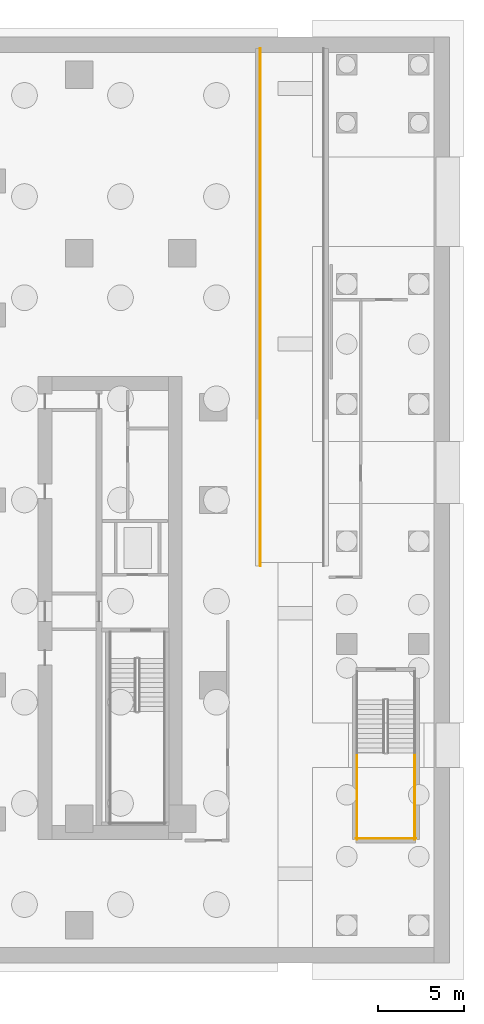
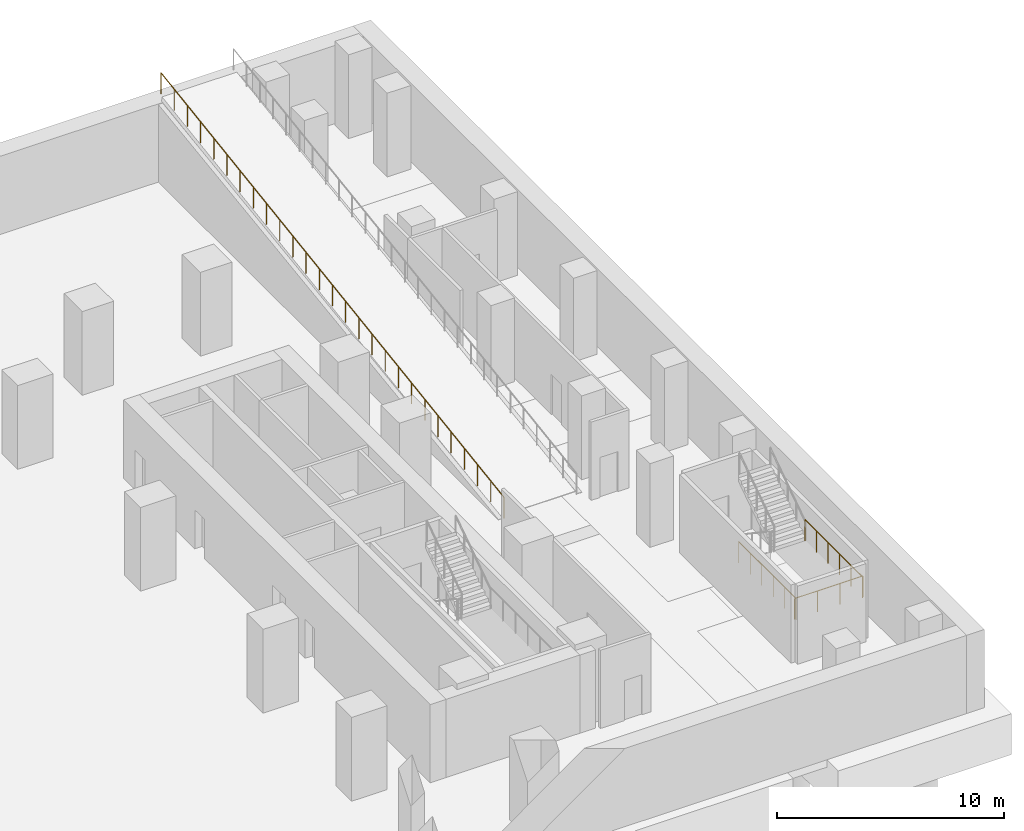
# One storey, part 12 of 15: 4 railings.
"""IFC4 building model written with IfcOpenShell, lengths in metres."""

from ifc_helpers import new_model, si_unit, direction, frame, origin, origin_2d, place, context, subcontext, project, spatial, circle, extrude, material, type_object, element, save


model = new_model("IFC4")

# Units and contexts
model_context = context("Model", 3, precision=1e-05, world=origin(), true_north=direction((0.0, 1.0)))
body_context = subcontext(model_context, "Body", "Model", "MODEL_VIEW")
ifc_project = project(units=[si_unit("LENGTHUNIT", "METRE"), si_unit("AREAUNIT", "SQUARE_METRE"), si_unit("VOLUMEUNIT", "CUBIC_METRE"), si_unit("PLANEANGLEUNIT", "RADIAN"), si_unit("MASSUNIT", "GRAM", prefix="KILO")], contexts=[model_context])

# Site, building, storey
site_placement = place(None, origin())
site = spatial("IfcSite", under=ifc_project, at=site_placement, CompositionType="ELEMENT")
building_placement = place(site_placement, origin())
building = spatial("IfcBuilding", under=site, at=building_placement, Name="Khairoan Windgate Tower", CompositionType="ELEMENT")
storey_placement = place(building_placement, frame((0.0, 0.0, -9.0)))
storey = spatial("IfcBuildingStorey", under=building, at=storey_placement, Name="B2", CompositionType="ELEMENT", Elevation=-9.0)

# Railings
ifc_material_1 = material(Name="Steel S355", Category="steel")
railing_type_1 = type_object("IfcRailingType", Name="Ramp Safety Guardrail RG-1150", PredefinedType="GUARDRAIL", material=ifc_material_1)
railing_1_placement = place(storey_placement, frame((24.9599609375, -3.840087890625, 0.0)))
element("IfcRailing", 1, at=railing_1_placement, inside=storey, type_object=railing_type_1, Name="Car Park Vehicular Ramp R2 (B1 to B2) W Edge Guardrail", PredefinedType="GUARDRAIL", context=body_context, shape_type="SweptSolid", body=[
    extrude(circle(Radius=0.02392578125, at=origin_2d()), frame((0.0, 0.0, 1.1259765625), z_axis=(0.0, 0.989065906388, 0.147474176791), x_axis=(-1.0, 0.0, 0.0)), (0.0, 0.0, 1.0), 30.513916015625),
    extrude(circle(Radius=0.02099609375, at=origin_2d()), origin(), (0.0, 0.0, 1.0), 1.101806640625),
    extrude(circle(Radius=0.02099609375, at=origin_2d()), frame((0.0, 1.160888671875, 0.173095703125)), (0.0, 0.0, 1.0), 1.101806640625),
    extrude(circle(Radius=0.02099609375, at=origin_2d()), frame((0.0, 2.321533203125, 0.34619140625)), (0.0, 0.0, 1.0), 1.101806640625),
    extrude(circle(Radius=0.02099609375, at=origin_2d()), frame((0.0, 3.482421875, 0.519287109375)), (0.0, 0.0, 1.0), 1.101806640625),
    extrude(circle(Radius=0.02099609375, at=origin_2d()), frame((0.0, 4.64306640625, 0.6923828125)), (0.0, 0.0, 1.0), 1.101806640625),
    extrude(circle(Radius=0.02099609375, at=origin_2d()), frame((0.0, 5.803955078125, 0.865478515625)), (0.0, 0.0, 1.0), 1.101806640625),
    extrude(circle(Radius=0.02099609375, at=origin_2d()), frame((0.0, 6.964599609375, 1.03857421875)), (0.0, 0.0, 1.0), 1.101806640625),
    extrude(circle(Radius=0.02099609375, at=origin_2d()), frame((0.0, 8.12548828125, 1.21142578125)), (0.0, 0.0, 1.0), 1.101806640625),
    extrude(circle(Radius=0.02099609375, at=origin_2d()), frame((0.0, 9.2861328125, 1.384521484375)), (0.0, 0.0, 1.0), 1.101806640625),
    extrude(circle(Radius=0.02099609375, at=origin_2d()), frame((0.0, 10.447021484375, 1.5576171875)), (0.0, 0.0, 1.0), 1.101806640625),
    extrude(circle(Radius=0.02099609375, at=origin_2d()), frame((0.0, 11.607666015625, 1.730712890625)), (0.0, 0.0, 1.0), 1.101806640625),
    extrude(circle(Radius=0.02099609375, at=origin_2d()), frame((0.0, 12.7685546875, 1.90380859375)), (0.0, 0.0, 1.0), 1.101806640625),
    extrude(circle(Radius=0.02099609375, at=origin_2d()), frame((0.0, 13.92919921875, 2.076904296875)), (0.0, 0.0, 1.0), 1.101806640625),
    extrude(circle(Radius=0.02099609375, at=origin_2d()), frame((0.0, 15.090087890625, 2.25)), (0.0, 0.0, 1.0), 1.101806640625),
    extrude(circle(Radius=0.02099609375, at=origin_2d()), frame((0.0, 16.2509765625, 2.423095703125)), (0.0, 0.0, 1.0), 1.101806640625),
    extrude(circle(Radius=0.02099609375, at=origin_2d()), frame((0.0, 17.41162109375, 2.59619140625)), (0.0, 0.0, 1.0), 1.101806640625),
    extrude(circle(Radius=0.02099609375, at=origin_2d()), frame((0.0, 18.572509765625, 2.769287109375)), (0.0, 0.0, 1.0), 1.101806640625),
    extrude(circle(Radius=0.02099609375, at=origin_2d()), frame((0.0, 19.733154296875, 2.9423828125)), (0.0, 0.0, 1.0), 1.101806640625),
    extrude(circle(Radius=0.02099609375, at=origin_2d()), frame((0.0, 20.89404296875, 3.115478515625)), (0.0, 0.0, 1.0), 1.101806640625),
    extrude(circle(Radius=0.02099609375, at=origin_2d()), frame((0.0, 22.0546875, 3.28857421875)), (0.0, 0.0, 1.0), 1.101806640625),
    extrude(circle(Radius=0.02099609375, at=origin_2d()), frame((0.0, 23.215576171875, 3.46142578125)), (0.0, 0.0, 1.0), 1.101806640625),
    extrude(circle(Radius=0.02099609375, at=origin_2d()), frame((0.0, 24.376220703125, 3.634521484375)), (0.0, 0.0, 1.0), 1.101806640625),
    extrude(circle(Radius=0.02099609375, at=origin_2d()), frame((0.0, 25.537109375, 3.8076171875)), (0.0, 0.0, 1.0), 1.101806640625),
    extrude(circle(Radius=0.02099609375, at=origin_2d()), frame((0.0, 26.69775390625, 3.980712890625)), (0.0, 0.0, 1.0), 1.101806640625),
    extrude(circle(Radius=0.02099609375, at=origin_2d()), frame((0.0, 27.858642578125, 4.15380859375)), (0.0, 0.0, 1.0), 1.101806640625),
    extrude(circle(Radius=0.02099609375, at=origin_2d()), frame((0.0, 29.019287109375, 4.326904296875)), (0.0, 0.0, 1.0), 1.101806640625),
    extrude(circle(Radius=0.02099609375, at=origin_2d()), frame((0.0, 30.18017578125, 4.5)), (0.0, 0.0, 1.0), 1.101806640625),
])
ifc_material_2 = material(Name="Steel S355", Category="steel")
railing_type_2 = type_object("IfcRailingType", Name="Stairwell Safety Guardrail SGR-1150", PredefinedType="GUARDRAIL", material=ifc_material_2)
for number, where, name in (
    (2, (30.60009765625, -14.739990234375, 2.25), "B2 ST3 stair guard 3"),
    (3, (33.969970703125, -14.739990234375, 2.25), "B2 ST3 stair guard 4"),
):
    element("IfcRailing", number, at=place(storey_placement, frame(where)), inside=storey, type_object=railing_type_2, Name=name, PredefinedType="GUARDRAIL", context=body_context, shape_type="SweptSolid", body=[
        extrude(circle(Radius=0.02392578125, at=origin_2d()), frame((0.0, 0.0, 1.1259765625), z_axis=(0.0, -1.0, 0.0), x_axis=(1.0, 0.0, 0.0)), (0.0, 0.0, 1.0), 5.06005859375),
        extrude(circle(Radius=0.02099609375, at=origin_2d()), origin(), (0.0, 0.0, 1.0), 1.101806640625),
        extrude(circle(Radius=0.02099609375, at=origin_2d()), frame((0.0, -1.011962890625, 0.0)), (0.0, 0.0, 1.0), 1.101806640625),
        extrude(circle(Radius=0.02099609375, at=origin_2d()), frame((0.0, -2.02392578125, 0.0)), (0.0, 0.0, 1.0), 1.101806640625),
        extrude(circle(Radius=0.02099609375, at=origin_2d()), frame((0.0, -3.0361328125, 0.0)), (0.0, 0.0, 1.0), 1.101806640625),
        extrude(circle(Radius=0.02099609375, at=origin_2d()), frame((0.0, -4.048095703125, 0.0)), (0.0, 0.0, 1.0), 1.101806640625),
        extrude(circle(Radius=0.02099609375, at=origin_2d()), frame((0.0, -5.06005859375, 0.0)), (0.0, 0.0, 1.0), 1.101806640625),
    ])
railing_2_placement = place(storey_placement, frame((30.550048828125, -19.75, 2.25)))
element("IfcRailing", 4, at=railing_2_placement, inside=storey, type_object=railing_type_2, Name="B2 ST3 stair guard 5", PredefinedType="GUARDRAIL", context=body_context, shape_type="SweptSolid", body=[
    extrude(circle(Radius=0.02392578125, at=origin_2d()), frame((0.0, 0.0, 1.1259765625), z_axis=(1.0, 0.0, 0.0), x_axis=(0.0, 1.0, 0.0)), (0.0, 0.0, 1.0), 3.469970703125),
    extrude(circle(Radius=0.02099609375, at=origin_2d()), origin(), (0.0, 0.0, 1.0), 1.101806640625),
    extrude(circle(Radius=0.02099609375, at=origin_2d()), frame((1.15673828125, 0.0, 0.0)), (0.0, 0.0, 1.0), 1.101806640625),
    extrude(circle(Radius=0.02099609375, at=origin_2d()), frame((2.313232421875, 0.0, 0.0)), (0.0, 0.0, 1.0), 1.101806640625),
    extrude(circle(Radius=0.02099609375, at=origin_2d()), frame((3.469970703125, 0.0, 0.0)), (0.0, 0.0, 1.0), 1.101806640625),
])

save(model, "model.ifc")
